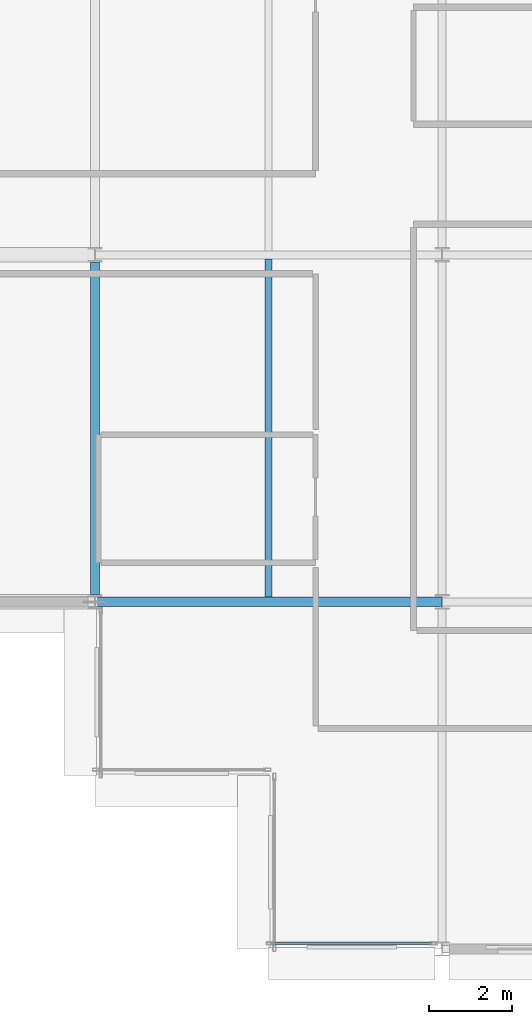
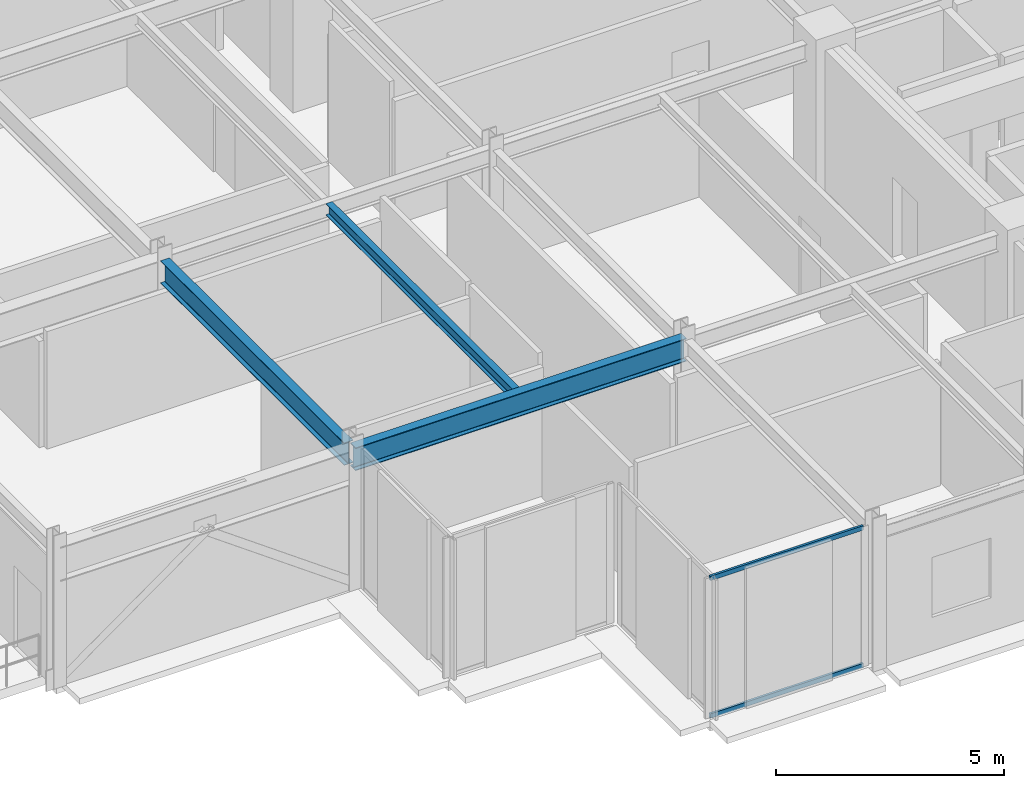
# One storey, part 5 of 30: 3 beams, 2 members, 1 element without a shape of its own.
"""IFC4 building model written with IfcOpenShell, lengths in metres."""

from ifc_helpers import new_model, si_unit, direction, frame, origin, origin_2d, place, context, subcontext, project, spatial, hollow_rectangle, i_section, extrude, material, layer, layer_set, material_profile, profile_set, type_object, element, aggregate, save


model = new_model("IFC4")

# Units and contexts
model_context = context("Model", 3, precision=1e-05, world=origin(), true_north=direction((0.0, 1.0)))
body_context = subcontext(model_context, "Body", "Model", "MODEL_VIEW")
ifc_project = project(units=[si_unit("LENGTHUNIT", "METRE"), si_unit("AREAUNIT", "SQUARE_METRE"), si_unit("VOLUMEUNIT", "CUBIC_METRE"), si_unit("PLANEANGLEUNIT", "RADIAN"), si_unit("MASSUNIT", "GRAM", prefix="KILO")], contexts=[model_context])

# Site, building, storey
site_placement = place(None, origin())
site = spatial("IfcSite", under=ifc_project, at=site_placement, CompositionType="ELEMENT")
building_placement = place(site_placement, origin())
building = spatial("IfcBuilding", under=site, at=building_placement, Name="Nerrivon Quay Data Exchange", CompositionType="ELEMENT")
storey_placement = place(building_placement, frame((0.0, 0.0, 216.5)))
storey = spatial("IfcBuildingStorey", under=building, at=storey_placement, Name="L51", CompositionType="ELEMENT", Elevation=216.5)

# Beams
ifc_material_1 = material(Name="Steel Grade 350", Category="steel")
ifc_material_profile_1 = material_profile(ifc_material_1, i_section(OverallWidth=0.22900390625, OverallDepth=0.612060546875, WebThickness=0.011962890625, FlangeThickness=0.01953125, FilletRadius=0.013916015625, at=origin_2d()), Name="610UB125")
ifc_profile_set_1 = profile_set([ifc_material_profile_1], Name="Steel Grade 350")
beam_type_1 = type_object("IfcBeamType", Name="BM-G1-610UB125", PredefinedType="BEAM", material=ifc_profile_set_1)
beam_1_placement = place(storey_placement, frame((0.010009765625, 8.39990234375, 3.444091796875), z_axis=(1.0, 0.0, 0.0), x_axis=(0.0, 1.0, 0.0)))
element("IfcBeam", 1, at=beam_1_placement, inside=storey, type_object=beam_type_1, Name="L51 EW Girder Y=8.4 (0.0..8.4)", PredefinedType="BEAM", context=body_context, shape_type="SweptSolid", body=[
    extrude(i_section(OverallWidth=0.22900390625, OverallDepth=0.612060546875, WebThickness=0.011962890625, FlangeThickness=0.01953125, FilletRadius=0.013916015625, at=origin_2d()), origin(), (0.0, 0.0, 1.0), 8.3798828125),
])
ifc_material_profile_2 = material_profile(ifc_material_1, i_section(OverallWidth=0.22802734375, OverallDepth=0.60205078125, WebThickness=0.010498046875, FlangeThickness=0.014892578125, FilletRadius=0.013916015625, at=origin_2d()), Name="610UB101")
ifc_profile_set_2 = profile_set([ifc_material_profile_2], Name="Steel Grade 350")
beam_type_2 = type_object("IfcBeamType", Name="BM-G2-610UB101", PredefinedType="BEAM", material=ifc_profile_set_2)
beam_2_placement = place(storey_placement, frame((0.0, 8.574951171875, 3.448974609375), z_axis=(0.0, 1.0, 0.0), x_axis=(-1.0, 0.0, 0.0)))
element("IfcBeam", 2, at=beam_2_placement, inside=storey, type_object=beam_type_2, Name="L51 NS Girder X=0.0 (8.4..16.8)", PredefinedType="BEAM", context=body_context, shape_type="SweptSolid", body=[
    extrude(i_section(OverallWidth=0.22802734375, OverallDepth=0.60205078125, WebThickness=0.010498046875, FlangeThickness=0.014892578125, FilletRadius=0.013916015625, at=origin_2d()), origin(), (0.0, 0.0, 1.0), 8.050048828125),
])
ifc_material_profile_3 = material_profile(ifc_material_1, i_section(OverallWidth=0.166015625, OverallDepth=0.306884765625, WebThickness=0.006591796875, FlangeThickness=0.01171875, FilletRadius=0.011474609375, at=origin_2d()), Name="310UB46.2")
ifc_profile_set_3 = profile_set([ifc_material_profile_3], Name="Steel Grade 350")
beam_type_3 = type_object("IfcBeamType", Name="BM-J5-310UB46", PredefinedType="JOIST", material=ifc_profile_set_3)
beam_3_placement = place(storey_placement, frame((4.199951171875, 8.514404296875, 3.596435546875), z_axis=(0.0, 1.0, 0.0), x_axis=(-1.0, 0.0, 0.0)))
element("IfcBeam", 3, at=beam_3_placement, inside=storey, type_object=beam_type_3, Name="L51 Secondary Joist X=4.2 (8.4..16.8)", PredefinedType="JOIST", context=body_context, shape_type="SweptSolid", body=[
    extrude(i_section(OverallWidth=0.166015625, OverallDepth=0.306884765625, WebThickness=0.006591796875, FlangeThickness=0.01171875, FilletRadius=0.011474609375, at=origin_2d()), origin(), (0.0, 0.0, 1.0), 8.190185546875),
])

# Curtain wall, members
ifc_material_2 = material(Name="Anodised aluminium 6063-T6", Category="aluminium")
ifc_layer = layer(ifc_material_2, 0.195068359375)
ifc_layer_set = layer_set([ifc_layer], Name="Anodised aluminium 6063-T6")
curtain_wall_type = type_object("IfcCurtainWallType", Name="CW-SYS-06", PredefinedType="NOTDEFINED", material=ifc_layer_set)
curtain_wall_placement = place(storey_placement, origin())
curtain_wall = element("IfcCurtainWall", 4, at=curtain_wall_placement, inside=storey, type_object=curtain_wall_type, Name="L51 Unitised Curtain Wall 28", PredefinedType="NOTDEFINED")
ifc_material_profile_4 = material_profile(ifc_material_2, hollow_rectangle(XDim=0.06005859375, YDim=0.1201171875, WallThickness=0.003173828125, at=origin_2d()), Name="ALU-TRAN-120x60")
ifc_profile_set_4 = profile_set([ifc_material_profile_4], Name="Anodised aluminium 6063-T6")
member_type = type_object("IfcMemberType", Name="CWT-120x60", PredefinedType="USERDEFINED", material=ifc_profile_set_4)
member_1_placement = place(storey_placement, frame((8.14990234375, 0.139892578125, 0.032470703125), z_axis=(-1.0, 0.0, 0.0), x_axis=(0.0, -1.0, 0.0)))
member_1 = element("IfcMember", 5, at=member_1_placement, type_object=member_type, Name="CW06 transom 1.1", ObjectType="TRANSOM", PredefinedType="USERDEFINED", context=body_context, shape_type="SweptSolid", body=[
    extrude(hollow_rectangle(XDim=0.06005859375, YDim=0.1201171875, WallThickness=0.003173828125, at=origin_2d()), origin(), (0.0, 0.0, 1.0), 3.875),
])
member_2_placement = place(storey_placement, frame((8.14990234375, 0.139892578125, 3.717529296875), z_axis=(-1.0, 0.0, 0.0), x_axis=(0.0, -1.0, 0.0)))
member_2 = element("IfcMember", 6, at=member_2_placement, type_object=member_type, Name="CW06 transom 1.2", ObjectType="TRANSOM", PredefinedType="USERDEFINED", context=body_context, shape_type="SweptSolid", body=[
    extrude(hollow_rectangle(XDim=0.06005859375, YDim=0.1201171875, WallThickness=0.003173828125, at=origin_2d()), origin(), (0.0, 0.0, 1.0), 3.875),
])
aggregate(curtain_wall, [member_1, member_2])

save(model, "model.ifc")
